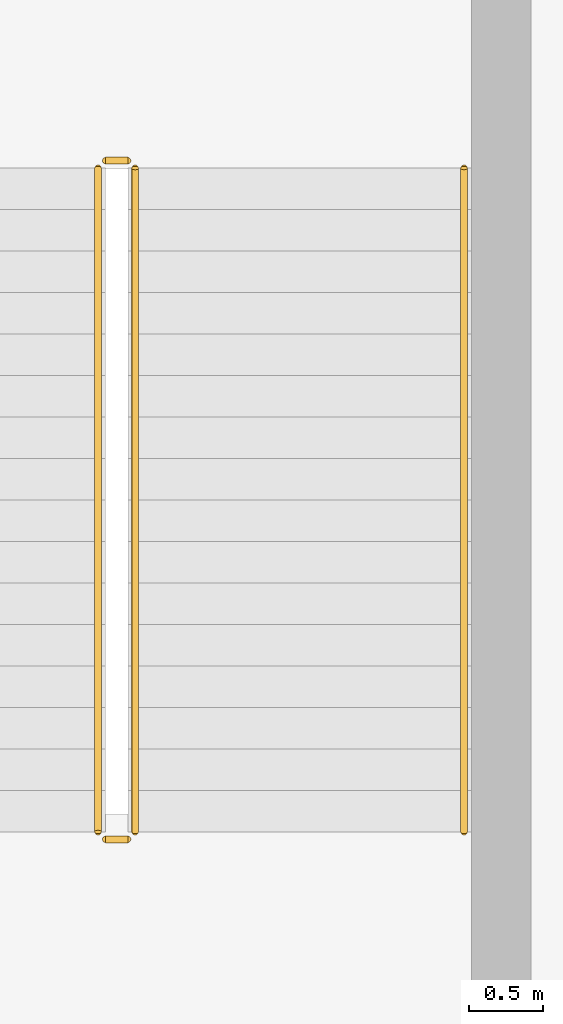
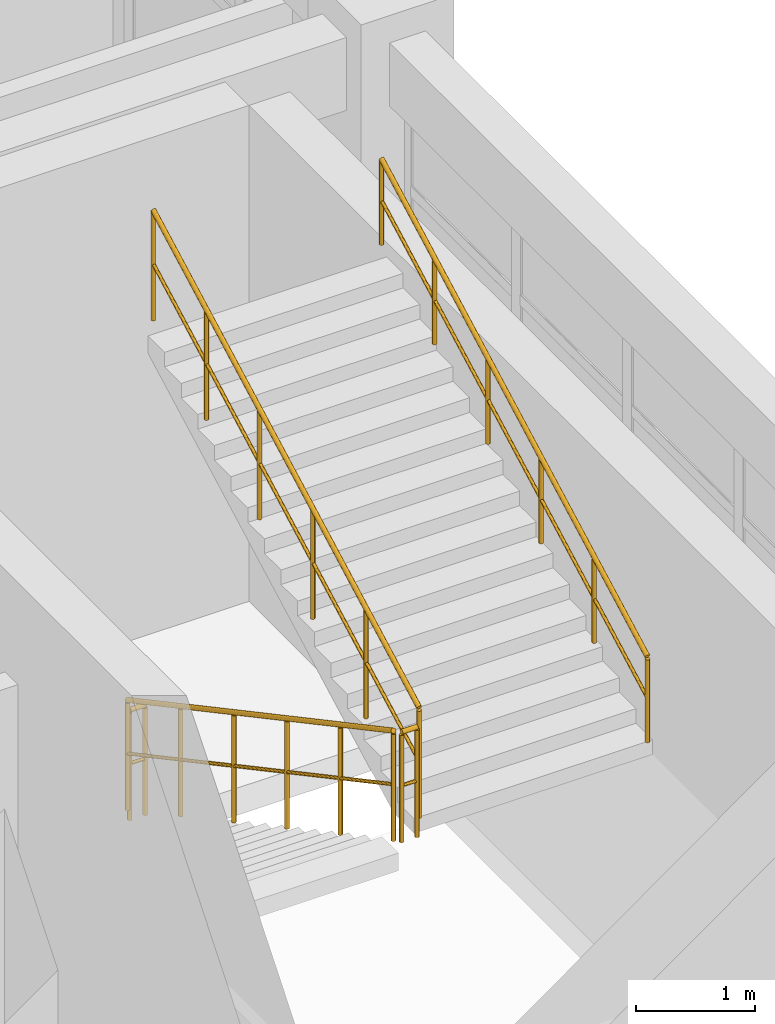
# One storey, part 112 of 120: 5 railings.
"""IFC4 building model written with IfcOpenShell, lengths in metres."""

from ifc_helpers import new_model, si_unit, derived_unit, direction, frame, origin, origin_2d, place, context, subcontext, project, spatial, circle, extrude, material, type_object, element, save


model = new_model("IFC4")

# Units and contexts
model_context = context("Model", 3, precision=1e-05, world=origin(), true_north=direction((0.0, 1.0)))
body_context = subcontext(model_context, "Body", "Model", "MODEL_VIEW")
ifc_project = project(units=[si_unit("LENGTHUNIT", "METRE"), si_unit("AREAUNIT", "SQUARE_METRE"), si_unit("VOLUMEUNIT", "CUBIC_METRE"), si_unit("PLANEANGLEUNIT", "RADIAN"), si_unit("MASSUNIT", "GRAM", prefix="KILO"), derived_unit("THERMALTRANSMITTANCEUNIT", [(si_unit("MASSUNIT", "GRAM", prefix="KILO"), 1), (si_unit("TIMEUNIT", "SECOND"), -3), (si_unit("THERMODYNAMICTEMPERATUREUNIT", "KELVIN"), -1)])], contexts=[model_context])

# Site, building, storey
site_placement = place(None, origin())
site = spatial("IfcSite", under=ifc_project, at=site_placement, CompositionType="ELEMENT")
building_placement = place(site_placement, origin())
building = spatial("IfcBuilding", under=site, at=building_placement, Name="Qinzheling Arcade Emporium", CompositionType="ELEMENT")
storey_placement = place(building_placement, frame((0.0, 0.0, 11.39990234375)))
storey = spatial("IfcBuildingStorey", under=building, at=storey_placement, Name="L03", CompositionType="ELEMENT", Elevation=11.39990234375)

# Railings
ifc_material_1 = material(Name="Galvanised powder-coated tubular steel", Category="steel")
railing_type_1 = type_object("IfcRailingType", Name="Painted Steel Stairwell Guard Railing 1150", PredefinedType="GUARDRAIL", material=ifc_material_1)
railing_1_placement = place(storey_placement, frame((65.219970703125, 30.280029296875, 0.150146484375)))
element("IfcRailing", 1, at=railing_1_placement, inside=storey, type_object=railing_type_1, Name="L03 ST01 stair guard 1", PredefinedType="GUARDRAIL", context=body_context, shape_type="SweptSolid", body=[
    extrude(circle(Radius=0.02392578125, at=origin_2d()), frame((0.0, 0.0, 1.1259765625), z_axis=(0.0, -0.881487111273, 0.472208081951), x_axis=(1.0, 0.0, 0.0)), (0.0, 0.0, 1.0), 5.082275390625),
    extrude(circle(Radius=0.01611328125, at=origin_2d()), frame((0.0, 0.0, 0.574951171875), z_axis=(0.0, -0.881487111273, 0.472208081951), x_axis=(1.0, 0.0, 0.0)), (0.0, 0.0, 1.0), 5.082275390625),
    extrude(circle(Radius=0.02099609375, at=origin_2d()), origin(), (0.0, 0.0, 1.0), 1.101806640625),
    extrude(circle(Radius=0.02099609375, at=origin_2d()), frame((0.0, -0.89599609375, 0.47998046875)), (0.0, 0.0, 1.0), 1.101806640625),
    extrude(circle(Radius=0.02099609375, at=origin_2d()), frame((0.0, -1.7919921875, 0.9599609375)), (0.0, 0.0, 1.0), 1.101806640625),
    extrude(circle(Radius=0.02099609375, at=origin_2d()), frame((0.0, -2.68798828125, 1.43994140625)), (0.0, 0.0, 1.0), 1.101806640625),
    extrude(circle(Radius=0.02099609375, at=origin_2d()), frame((0.0, -3.583984375, 1.919921875)), (0.0, 0.0, 1.0), 1.101806640625),
    extrude(circle(Radius=0.02099609375, at=origin_2d()), frame((0.0, -4.47998046875, 2.39990234375)), (0.0, 0.0, 1.0), 1.101806640625),
])
railing_2_placement = place(storey_placement, frame((65.27001953125, 25.75, 2.550048828125)))
element("IfcRailing", 2, at=railing_2_placement, inside=storey, type_object=railing_type_1, Name="L03 ST01 stair guard 2", PredefinedType="GUARDRAIL", context=body_context, shape_type="SweptSolid", body=[
    extrude(circle(Radius=0.02392578125, at=origin_2d()), frame((0.0, 0.0, 1.1259765625), z_axis=(1.0, 0.0, 0.0), x_axis=(0.0, 1.0, 0.0)), (0.0, 0.0, 1.0), 0.14990234375),
    extrude(circle(Radius=0.01611328125, at=origin_2d()), frame((0.0, 0.0, 0.574951171875), z_axis=(1.0, 0.0, 0.0), x_axis=(0.0, 1.0, 0.0)), (0.0, 0.0, 1.0), 0.14990234375),
    extrude(circle(Radius=0.02099609375, at=origin_2d()), origin(), (0.0, 0.0, 1.0), 1.101806640625),
    extrude(circle(Radius=0.02099609375, at=origin_2d()), frame((0.14990234375, 0.0, 0.0)), (0.0, 0.0, 1.0), 1.101806640625),
])
railing_3_placement = place(storey_placement, frame((65.469970703125, 25.800048828125, 2.7001953125)))
element("IfcRailing", 3, at=railing_3_placement, inside=storey, type_object=railing_type_1, Name="L03 ST01 stair guard 3", PredefinedType="GUARDRAIL", context=body_context, shape_type="SweptSolid", body=[
    extrude(circle(Radius=0.02392578125, at=origin_2d()), frame((0.0, 0.0, 1.1259765625), z_axis=(0.0, 0.881487111273, 0.472208081951), x_axis=(-1.0, 0.0, 0.0)), (0.0, 0.0, 1.0), 5.082275390625),
    extrude(circle(Radius=0.01611328125, at=origin_2d()), frame((0.0, 0.0, 0.574951171875), z_axis=(0.0, 0.881487111273, 0.472208081951), x_axis=(-1.0, 0.0, 0.0)), (0.0, 0.0, 1.0), 5.082275390625),
    extrude(circle(Radius=0.02099609375, at=origin_2d()), origin(), (0.0, 0.0, 1.0), 1.101806640625),
    extrude(circle(Radius=0.02099609375, at=origin_2d()), frame((0.0, 0.89599609375, 0.47998046875)), (0.0, 0.0, 1.0), 1.101806640625),
    extrude(circle(Radius=0.02099609375, at=origin_2d()), frame((0.0, 1.7919921875, 0.9599609375)), (0.0, 0.0, 1.0), 1.101806640625),
    extrude(circle(Radius=0.02099609375, at=origin_2d()), frame((0.0, 2.68798828125, 1.43994140625)), (0.0, 0.0, 1.0), 1.101806640625),
    extrude(circle(Radius=0.02099609375, at=origin_2d()), frame((0.0, 3.583984375, 1.919921875)), (0.0, 0.0, 1.0), 1.101806640625),
    extrude(circle(Radius=0.02099609375, at=origin_2d()), frame((0.0, 4.47998046875, 2.39990234375)), (0.0, 0.0, 1.0), 1.101806640625),
])
railing_4_placement = place(storey_placement, frame((65.27001953125, 30.330078125, 0.0)))
element("IfcRailing", 4, at=railing_4_placement, inside=storey, type_object=railing_type_1, Name="L03 ST01 stair guard 4", PredefinedType="GUARDRAIL", context=body_context, shape_type="SweptSolid", body=[
    extrude(circle(Radius=0.02392578125, at=origin_2d()), frame((0.0, 0.0, 1.1259765625), z_axis=(1.0, 0.0, 0.0), x_axis=(0.0, 1.0, 0.0)), (0.0, 0.0, 1.0), 0.14990234375),
    extrude(circle(Radius=0.01611328125, at=origin_2d()), frame((0.0, 0.0, 0.574951171875), z_axis=(1.0, 0.0, 0.0), x_axis=(0.0, 1.0, 0.0)), (0.0, 0.0, 1.0), 0.14990234375),
    extrude(circle(Radius=0.02099609375, at=origin_2d()), origin(), (0.0, 0.0, 1.0), 1.101806640625),
    extrude(circle(Radius=0.02099609375, at=origin_2d()), frame((0.14990234375, 0.0, 0.0)), (0.0, 0.0, 1.0), 1.101806640625),
])
ifc_material_2 = material(Name="Brushed stainless steel 304", Category="steel")
railing_type_2 = type_object("IfcRailingType", Name="Stainless Steel Wall Handrail 900", PredefinedType="HANDRAIL", material=ifc_material_2)
railing_5_placement = place(storey_placement, frame((67.68994140625, 25.800048828125, 2.7001953125)))
element("IfcRailing", 5, at=railing_5_placement, inside=storey, type_object=railing_type_2, Name="L03 ST01 stair handrail 2", PredefinedType="HANDRAIL", context=body_context, shape_type="SweptSolid", body=[
    extrude(circle(Radius=0.02392578125, at=origin_2d()), frame((0.0, 0.0, 0.8759765625), z_axis=(0.0, 0.881487111273, 0.472208081951), x_axis=(-1.0, 0.0, 0.0)), (0.0, 0.0, 1.0), 5.082275390625),
    extrude(circle(Radius=0.01611328125, at=origin_2d()), frame((0.0, 0.0, 0.449951171875), z_axis=(0.0, 0.881487111273, 0.472208081951), x_axis=(-1.0, 0.0, 0.0)), (0.0, 0.0, 1.0), 5.082275390625),
    extrude(circle(Radius=0.02099609375, at=origin_2d()), origin(), (0.0, 0.0, 1.0), 0.851806640625),
    extrude(circle(Radius=0.02099609375, at=origin_2d()), frame((0.0, 0.89599609375, 0.47998046875)), (0.0, 0.0, 1.0), 0.851806640625),
    extrude(circle(Radius=0.02099609375, at=origin_2d()), frame((0.0, 1.7919921875, 0.9599609375)), (0.0, 0.0, 1.0), 0.851806640625),
    extrude(circle(Radius=0.02099609375, at=origin_2d()), frame((0.0, 2.68798828125, 1.43994140625)), (0.0, 0.0, 1.0), 0.851806640625),
    extrude(circle(Radius=0.02099609375, at=origin_2d()), frame((0.0, 3.583984375, 1.919921875)), (0.0, 0.0, 1.0), 0.851806640625),
    extrude(circle(Radius=0.02099609375, at=origin_2d()), frame((0.0, 4.47998046875, 2.39990234375)), (0.0, 0.0, 1.0), 0.851806640625),
])

save(model, "model.ifc")
